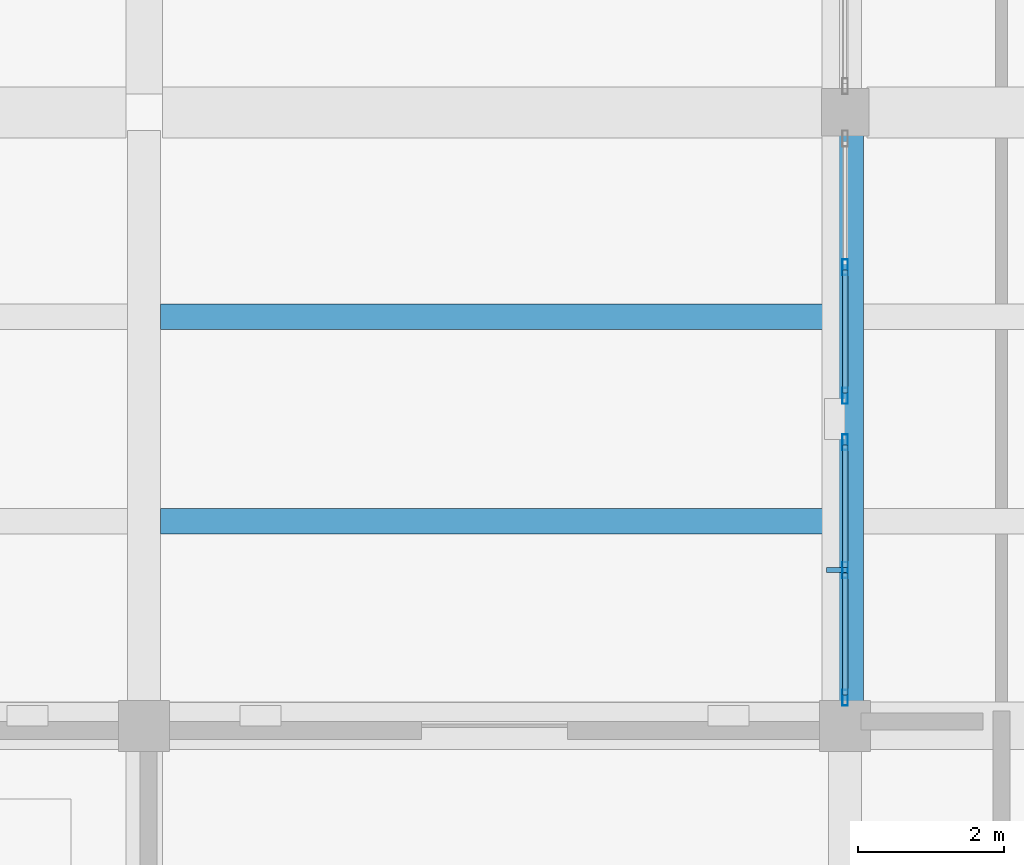
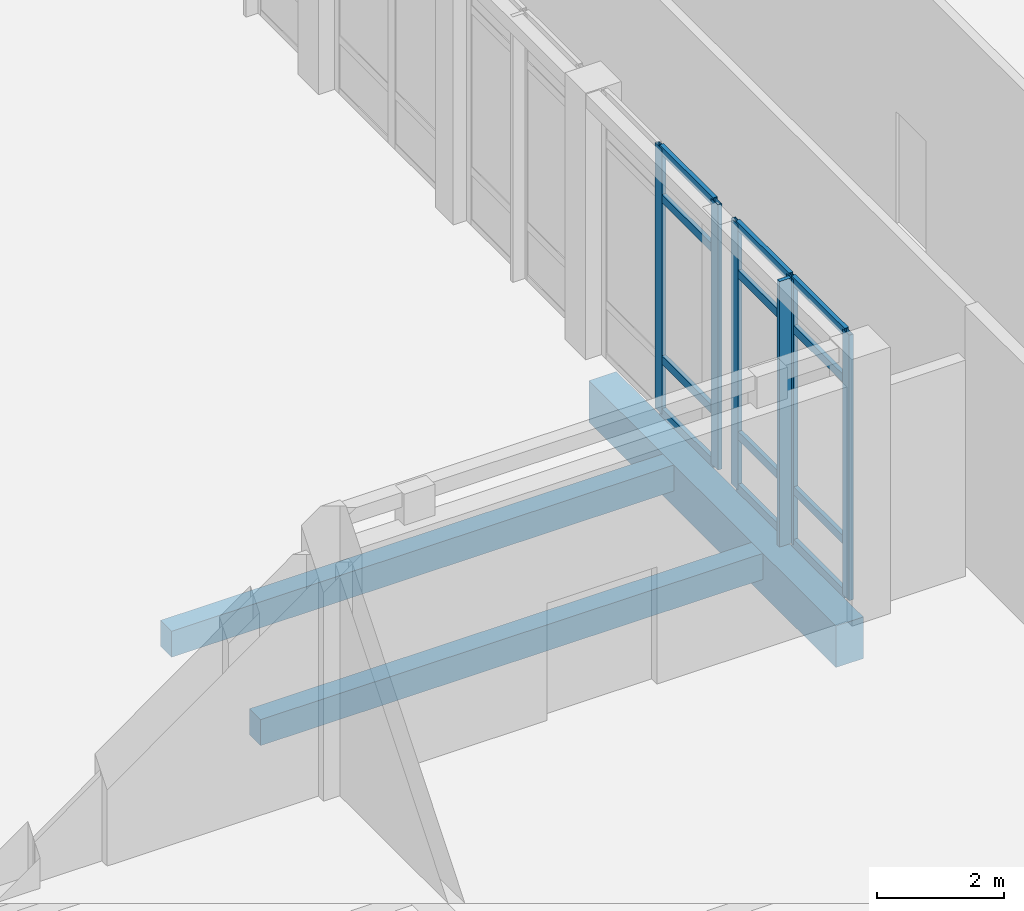
# One storey, part 14 of 71: 18 members, 3 beams, 2 elements without a shape of their own.
"""IFC4 building model written with IfcOpenShell, lengths in metres."""

from ifc_helpers import new_model, si_unit, direction, frame, origin, origin_2d, place, context, subcontext, project, spatial, rectangle, hollow_rectangle, extrude, material, layer, layer_set, material_profile, profile_set, type_object, element, aggregate, save


model = new_model("IFC4")

# Units and contexts
model_context = context("Model", 3, precision=1e-05, world=origin(), true_north=direction((0.0, 1.0)))
body_context = subcontext(model_context, "Body", "Model", "MODEL_VIEW")
ifc_project = project(units=[si_unit("LENGTHUNIT", "METRE"), si_unit("AREAUNIT", "SQUARE_METRE"), si_unit("VOLUMEUNIT", "CUBIC_METRE"), si_unit("PLANEANGLEUNIT", "RADIAN"), si_unit("MASSUNIT", "GRAM", prefix="KILO")], contexts=[model_context])

# Site, building, storey
site_placement = place(None, origin())
site = spatial("IfcSite", under=ifc_project, at=site_placement, CompositionType="ELEMENT")
building_placement = place(site_placement, origin())
building = spatial("IfcBuilding", under=site, at=building_placement, Name="Lornevale Opera House", CompositionType="ELEMENT")
storey_placement = place(building_placement, origin())
storey = spatial("IfcBuildingStorey", under=building, at=storey_placement, Name="L01", CompositionType="ELEMENT", Elevation=0.0)

# Beams
ifc_material_1 = material(Name="Concrete 35 MPa (CSA A23.1 N)", Category="concrete")
ifc_material_profile_1 = material_profile(ifc_material_1, rectangle(XDim=0.5, YDim=0.800048828125, at=origin_2d()), Name="RC500x800")
ifc_profile_set_1 = profile_set([ifc_material_profile_1], Name="Concrete 35 MPa (CSA A23.1 N)")
beam_type_1 = type_object("IfcBeamType", Name="Concrete Floor Beam 500x800", PredefinedType="USERDEFINED", material=ifc_profile_set_1)
beam_placement = place(storey_placement, frame((28.800048828125, 25.52490234375, -0.840087890625), z_axis=(0.0, 1.0, 0.0), x_axis=(-1.0, 0.0, 0.0)))
element("IfcBeam", 1, at=beam_placement, inside=storey, type_object=beam_type_1, Name="Concrete Floor Beam 500x800 1108", ObjectType="GIRDER", PredefinedType="USERDEFINED", context=body_context, shape_type="SweptSolid", body=[
    extrude(rectangle(XDim=0.5, YDim=0.800048828125, at=origin_2d()), origin(), (0.0, 0.0, 1.0), 7.775146484375),
])
ifc_material_profile_2 = material_profile(ifc_material_1, rectangle(XDim=0.35009765625, YDim=0.5, at=origin_2d()), Name="RC350x500")
ifc_profile_set_2 = profile_set([ifc_material_profile_2], Name="Concrete 35 MPa (CSA A23.1 N)")
beam_type_2 = type_object("IfcBeamType", Name="Concrete Secondary Rib 350x500", PredefinedType="JOIST", material=ifc_profile_set_2)
for number, where, z_axis, x_axis, name in (
    (2, (19.425048828125, 28.0, -0.68994140625), (1.0, 0.0, 0.0), (0.0, 1.0, 0.0), "Concrete Secondary Rib 350x500 1343"),
    (3, (19.425048828125, 30.800048828125, -0.68994140625), (1.0, 0.0, 0.0), (0.0, 1.0, 0.0), "Concrete Secondary Rib 350x500 1344"),
):
    element("IfcBeam", number, at=place(storey_placement, frame(where, z_axis=z_axis, x_axis=x_axis)), inside=storey, type_object=beam_type_2, Name=name, PredefinedType="JOIST", context=body_context, shape_type="SweptSolid", body=[
        extrude(rectangle(XDim=0.35009765625, YDim=0.5, at=origin_2d()), origin(), (0.0, 0.0, 1.0), 9.125),
    ])

# Curtain wall, members
ifc_material_2 = material(Name="Anodized Oxide-Green Aluminium Framing", Category="aluminium")
ifc_layer = layer(ifc_material_2, 0.215087890625)
ifc_layer_set = layer_set([ifc_layer], Name="Anodized Oxide-Green Aluminium Framing")
curtain_wall_type = type_object("IfcCurtainWallType", Name="Grand Foyer Curtain Wall M2000", PredefinedType="NOTDEFINED", material=ifc_layer_set)
curtain_wall_1_placement = place(storey_placement, origin())
curtain_wall_1 = element("IfcCurtainWall", 4, at=curtain_wall_1_placement, inside=storey, type_object=curtain_wall_type, Name="Grand Foyer Curtain Wall M2000 CW-001", PredefinedType="NOTDEFINED")
ifc_material_profile_3 = material_profile(ifc_material_2, hollow_rectangle(XDim=0.074951171875, YDim=0.219970703125, WallThickness=0.0048828125, at=origin_2d()), Name="ALU75x220x5")
ifc_profile_set_3 = profile_set([ifc_material_profile_3], Name="Anodized Oxide-Green Aluminium Framing")
member_type_1 = type_object("IfcMemberType", Name="Curtain Wall Mullion 75x220", PredefinedType="MULLION", material=ifc_profile_set_3)
member_1_placement = place(storey_placement, frame((28.800048828125, 25.58349609375, 0.0), z_axis=(0.0, 0.0, 1.0), x_axis=(-1.0, 0.0, 0.0)))
member_1 = element("IfcMember", 5, at=member_1_placement, type_object=member_type_1, Name="Curtain Wall Mullion 75x220 CW0001", PredefinedType="MULLION", context=body_context, shape_type="SweptSolid", body=[
    extrude(hollow_rectangle(XDim=0.074951171875, YDim=0.219970703125, WallThickness=0.0048828125, at=origin_2d()), origin(), (0.0, 0.0, 1.0), 5.10009765625),
])
member_2_placement = place(storey_placement, frame((28.800048828125, 27.3330078125, 0.0), z_axis=(0.0, 0.0, 1.0), x_axis=(-1.0, 0.0, 0.0)))
member_2 = element("IfcMember", 6, at=member_2_placement, type_object=member_type_1, Name="Curtain Wall Mullion 75x220 CW0002", PredefinedType="MULLION", context=body_context, shape_type="SweptSolid", body=[
    extrude(hollow_rectangle(XDim=0.074951171875, YDim=0.219970703125, WallThickness=0.0048828125, at=origin_2d()), origin(), (0.0, 0.0, 1.0), 5.10009765625),
])
member_3_placement = place(storey_placement, frame((28.800048828125, 29.08251953125, 0.0), z_axis=(0.0, 0.0, 1.0), x_axis=(-1.0, 0.0, 0.0)))
member_3 = element("IfcMember", 7, at=member_3_placement, type_object=member_type_1, Name="Curtain Wall Mullion 75x220 CW0003", PredefinedType="MULLION", context=body_context, shape_type="SweptSolid", body=[
    extrude(hollow_rectangle(XDim=0.074951171875, YDim=0.219970703125, WallThickness=0.0048828125, at=origin_2d()), origin(), (0.0, 0.0, 1.0), 5.10009765625),
])

curtain_wall_2_placement = place(storey_placement, origin())
curtain_wall_2 = element("IfcCurtainWall", 8, at=curtain_wall_2_placement, inside=storey, type_object=curtain_wall_type, Name="Grand Foyer Curtain Wall M2000 CW-002", PredefinedType="NOTDEFINED")
member_4_placement = place(storey_placement, frame((28.800048828125, 29.717529296875, 0.0), z_axis=(0.0, 0.0, 1.0), x_axis=(-1.0, 0.0, 0.0)))
member_4 = element("IfcMember", 9, at=member_4_placement, type_object=member_type_1, Name="Curtain Wall Mullion 75x220 CW0018", PredefinedType="MULLION", context=body_context, shape_type="SweptSolid", body=[
    extrude(hollow_rectangle(XDim=0.074951171875, YDim=0.219970703125, WallThickness=0.0048828125, at=origin_2d()), origin(), (0.0, 0.0, 1.0), 5.10009765625),
])
member_5_placement = place(storey_placement, frame((28.800048828125, 31.4794921875, 0.0), z_axis=(0.0, 0.0, 1.0), x_axis=(-1.0, 0.0, 0.0)))
member_5 = element("IfcMember", 10, at=member_5_placement, type_object=member_type_1, Name="Curtain Wall Mullion 75x220 CW0019", PredefinedType="MULLION", context=body_context, shape_type="SweptSolid", body=[
    extrude(hollow_rectangle(XDim=0.074951171875, YDim=0.219970703125, WallThickness=0.0048828125, at=origin_2d()), origin(), (0.0, 0.0, 1.0), 5.10009765625),
])

# Member
ifc_material_profile_4 = material_profile(ifc_material_2, hollow_rectangle(XDim=0.074951171875, YDim=0.159912109375, WallThickness=0.0048828125, at=origin_2d()), Name="ALU75x160x5")
ifc_profile_set_4 = profile_set([ifc_material_profile_4], Name="Anodized Oxide-Green Aluminium Framing")
member_type_2 = type_object("IfcMemberType", Name="Curtain Wall Transom 75x160", PredefinedType="USERDEFINED", material=ifc_profile_set_4)
member_6_placement = place(storey_placement, frame((28.800048828125, 25.62109375, 0.03759765625), z_axis=(0.0, 1.0, 0.0), x_axis=(-1.0, 0.0, 0.0)))
member_6 = element("IfcMember", 11, at=member_6_placement, type_object=member_type_2, Name="Curtain Wall Transom 75x160 CW0004", ObjectType="TRANSOM", PredefinedType="USERDEFINED", context=body_context, shape_type="SweptSolid", body=[
    extrude(hollow_rectangle(XDim=0.074951171875, YDim=0.159912109375, WallThickness=0.0048828125, at=origin_2d()), origin(), (0.0, 0.0, 1.0), 1.67431640625),
])

member_7_placement = place(storey_placement, frame((28.800048828125, 25.62109375, 1.050048828125), z_axis=(0.0, 1.0, 0.0), x_axis=(-1.0, 0.0, 0.0)))
member_7 = element("IfcMember", 12, at=member_7_placement, type_object=member_type_2, Name="Curtain Wall Transom 75x160 CW0005", ObjectType="TRANSOM", PredefinedType="USERDEFINED", context=body_context, shape_type="SweptSolid", body=[
    extrude(hollow_rectangle(XDim=0.074951171875, YDim=0.159912109375, WallThickness=0.0048828125, at=origin_2d()), origin(), (0.0, 0.0, 1.0), 1.67431640625),
])

member_8_placement = place(storey_placement, frame((28.800048828125, 25.62109375, 4.14990234375), z_axis=(0.0, 1.0, 0.0), x_axis=(-1.0, 0.0, 0.0)))
member_8 = element("IfcMember", 13, at=member_8_placement, type_object=member_type_2, Name="Curtain Wall Transom 75x160 CW0006", ObjectType="TRANSOM", PredefinedType="USERDEFINED", context=body_context, shape_type="SweptSolid", body=[
    extrude(hollow_rectangle(XDim=0.074951171875, YDim=0.159912109375, WallThickness=0.0048828125, at=origin_2d()), origin(), (0.0, 0.0, 1.0), 1.67431640625),
])

member_9_placement = place(storey_placement, frame((28.800048828125, 25.62109375, 5.0625), z_axis=(0.0, 1.0, 0.0), x_axis=(-1.0, 0.0, 0.0)))
member_9 = element("IfcMember", 14, at=member_9_placement, type_object=member_type_2, Name="Curtain Wall Transom 75x160 CW0007", ObjectType="TRANSOM", PredefinedType="USERDEFINED", context=body_context, shape_type="SweptSolid", body=[
    extrude(hollow_rectangle(XDim=0.074951171875, YDim=0.159912109375, WallThickness=0.0048828125, at=origin_2d()), origin(), (0.0, 0.0, 1.0), 1.67431640625),
])

member_10_placement = place(storey_placement, frame((28.800048828125, 27.37060546875, 0.03759765625), z_axis=(0.0, 1.0, 0.0), x_axis=(-1.0, 0.0, 0.0)))
member_10 = element("IfcMember", 15, at=member_10_placement, type_object=member_type_2, Name="Curtain Wall Transom 75x160 CW0011", ObjectType="TRANSOM", PredefinedType="USERDEFINED", context=body_context, shape_type="SweptSolid", body=[
    extrude(hollow_rectangle(XDim=0.074951171875, YDim=0.159912109375, WallThickness=0.0048828125, at=origin_2d()), origin(), (0.0, 0.0, 1.0), 1.67431640625),
])

member_11_placement = place(storey_placement, frame((28.800048828125, 27.37060546875, 1.050048828125), z_axis=(0.0, 1.0, 0.0), x_axis=(-1.0, 0.0, 0.0)))
member_11 = element("IfcMember", 16, at=member_11_placement, type_object=member_type_2, Name="Curtain Wall Transom 75x160 CW0012", ObjectType="TRANSOM", PredefinedType="USERDEFINED", context=body_context, shape_type="SweptSolid", body=[
    extrude(hollow_rectangle(XDim=0.074951171875, YDim=0.159912109375, WallThickness=0.0048828125, at=origin_2d()), origin(), (0.0, 0.0, 1.0), 1.67431640625),
])

member_12_placement = place(storey_placement, frame((28.800048828125, 27.37060546875, 4.14990234375), z_axis=(0.0, 1.0, 0.0), x_axis=(-1.0, 0.0, 0.0)))
member_12 = element("IfcMember", 17, at=member_12_placement, type_object=member_type_2, Name="Curtain Wall Transom 75x160 CW0013", ObjectType="TRANSOM", PredefinedType="USERDEFINED", context=body_context, shape_type="SweptSolid", body=[
    extrude(hollow_rectangle(XDim=0.074951171875, YDim=0.159912109375, WallThickness=0.0048828125, at=origin_2d()), origin(), (0.0, 0.0, 1.0), 1.67431640625),
])

member_13_placement = place(storey_placement, frame((28.800048828125, 27.37060546875, 5.0625), z_axis=(0.0, 1.0, 0.0), x_axis=(-1.0, 0.0, 0.0)))
member_13 = element("IfcMember", 18, at=member_13_placement, type_object=member_type_2, Name="Curtain Wall Transom 75x160 CW0014", ObjectType="TRANSOM", PredefinedType="USERDEFINED", context=body_context, shape_type="SweptSolid", body=[
    extrude(hollow_rectangle(XDim=0.074951171875, YDim=0.159912109375, WallThickness=0.0048828125, at=origin_2d()), origin(), (0.0, 0.0, 1.0), 1.67431640625),
])

member_14_placement = place(storey_placement, frame((28.800048828125, 29.7548828125, 0.03759765625), z_axis=(0.0, 1.0, 0.0), x_axis=(-1.0, 0.0, 0.0)))
member_14 = element("IfcMember", 19, at=member_14_placement, type_object=member_type_2, Name="Curtain Wall Transom 75x160 CW0021", ObjectType="TRANSOM", PredefinedType="USERDEFINED", context=body_context, shape_type="SweptSolid", body=[
    extrude(hollow_rectangle(XDim=0.074951171875, YDim=0.159912109375, WallThickness=0.0048828125, at=origin_2d()), origin(), (0.0, 0.0, 1.0), 1.68701171875),
])

member_15_placement = place(storey_placement, frame((28.800048828125, 29.7548828125, 1.050048828125), z_axis=(0.0, 1.0, 0.0), x_axis=(-1.0, 0.0, 0.0)))
member_15 = element("IfcMember", 20, at=member_15_placement, type_object=member_type_2, Name="Curtain Wall Transom 75x160 CW0022", ObjectType="TRANSOM", PredefinedType="USERDEFINED", context=body_context, shape_type="SweptSolid", body=[
    extrude(hollow_rectangle(XDim=0.074951171875, YDim=0.159912109375, WallThickness=0.0048828125, at=origin_2d()), origin(), (0.0, 0.0, 1.0), 1.68701171875),
])

member_16_placement = place(storey_placement, frame((28.800048828125, 29.7548828125, 4.14990234375), z_axis=(0.0, 1.0, 0.0), x_axis=(-1.0, 0.0, 0.0)))
member_16 = element("IfcMember", 21, at=member_16_placement, type_object=member_type_2, Name="Curtain Wall Transom 75x160 CW0023", ObjectType="TRANSOM", PredefinedType="USERDEFINED", context=body_context, shape_type="SweptSolid", body=[
    extrude(hollow_rectangle(XDim=0.074951171875, YDim=0.159912109375, WallThickness=0.0048828125, at=origin_2d()), origin(), (0.0, 0.0, 1.0), 1.68701171875),
])

member_17_placement = place(storey_placement, frame((28.800048828125, 29.7548828125, 5.0625), z_axis=(0.0, 1.0, 0.0), x_axis=(-1.0, 0.0, 0.0)))
member_17 = element("IfcMember", 22, at=member_17_placement, type_object=member_type_2, Name="Curtain Wall Transom 75x160 CW0024", ObjectType="TRANSOM", PredefinedType="USERDEFINED", context=body_context, shape_type="SweptSolid", body=[
    extrude(hollow_rectangle(XDim=0.074951171875, YDim=0.159912109375, WallThickness=0.0048828125, at=origin_2d()), origin(), (0.0, 0.0, 1.0), 1.68701171875),
])

aggregate(curtain_wall_2, [member_4, member_5, member_14, member_15, member_16, member_17])

ifc_material_3 = material(Name="Architectural Bronze Solar Louvre Alloy", Category="metal")
ifc_material_profile_5 = material_profile(ifc_material_3, rectangle(XDim=0.070068359375, YDim=0.300048828125, at=origin_2d()), Name="FIN70x300")
ifc_profile_set_5 = profile_set([ifc_material_profile_5], Name="Architectural Bronze Solar Louvre Alloy")
member_type_3 = type_object("IfcMemberType", Name="Solar Shading Fin 70x300", PredefinedType="USERDEFINED", material=ifc_profile_set_5)
member_18_placement = place(storey_placement, frame((28.695068359375, 27.3330078125, 0.0), z_axis=(0.0, 0.0, 1.0), x_axis=(0.0, 1.0, 0.0)))
member_18 = element("IfcMember", 23, at=member_18_placement, type_object=member_type_3, Name="Solar Shading Fin 70x300 FIN0001", ObjectType="SOLAR FIN", PredefinedType="USERDEFINED", context=body_context, shape_type="SweptSolid", body=[
    extrude(rectangle(XDim=0.070068359375, YDim=0.300048828125, at=origin_2d()), origin(), (0.0, 0.0, 1.0), 5.10009765625),
])

aggregate(curtain_wall_1, [member_1, member_2, member_3, member_6, member_7, member_8, member_9, member_10, member_11, member_12, member_13, member_18])

save(model, "model.ifc")
